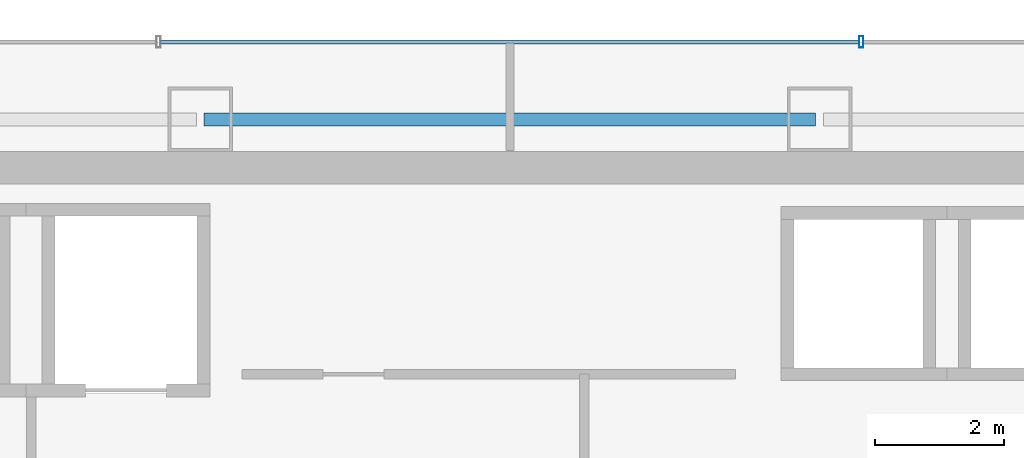
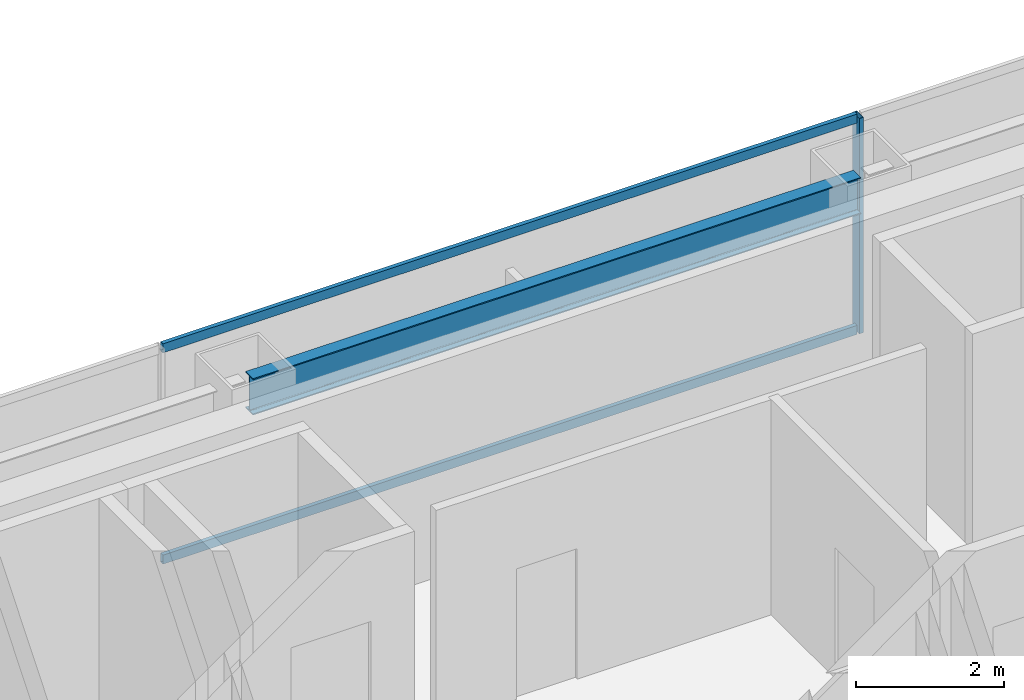
# One storey, part 24 of 35: 3 members, 1 beam, 1 element without a shape of its own.
"""IFC4 building model written with IfcOpenShell, lengths in metres."""

from ifc_helpers import new_model, si_unit, direction, frame, origin, origin_2d, place, context, subcontext, project, spatial, hollow_rectangle, i_section, extrude, material, material_profile, profile_set, type_object, element, aggregate, save


model = new_model("IFC4")

# Units and contexts
model_context = context("Model", 3, precision=1e-05, world=origin(), true_north=direction((0.0, 1.0)))
body_context = subcontext(model_context, "Body", "Model", "MODEL_VIEW")
ifc_project = project(units=[si_unit("LENGTHUNIT", "METRE"), si_unit("AREAUNIT", "SQUARE_METRE"), si_unit("VOLUMEUNIT", "CUBIC_METRE"), si_unit("PLANEANGLEUNIT", "RADIAN"), si_unit("MASSUNIT", "GRAM", prefix="KILO")], contexts=[model_context])

# Site, building, storey
site_placement = place(None, origin())
site = spatial("IfcSite", under=ifc_project, at=site_placement, CompositionType="ELEMENT")
building_placement = place(site_placement, origin())
building = spatial("IfcBuilding", under=site, at=building_placement, Name="Saevonmaru Cultural Tower", CompositionType="ELEMENT")
storey_placement = place(building_placement, frame((0.0, 0.0, 175.199951171875)))
storey = spatial("IfcBuildingStorey", under=building, at=storey_placement, Name="L39", CompositionType="ELEMENT", Elevation=175.199951171875)

# Beam
ifc_material_1 = material(Name="Steel SM355", Category="steel")
ifc_material_profile_1 = material_profile(ifc_material_1, i_section(OverallWidth=0.199951171875, OverallDepth=0.60009765625, WebThickness=0.010986328125, FlangeThickness=0.01708984375, FilletRadius=0.02197265625, at=origin_2d()), Name="H-600x200x11x17")
ifc_profile_set_1 = profile_set([ifc_material_profile_1], Name="Steel SM355")
beam_type = type_object("IfcBeamType", Name="BM-SP-H600", PredefinedType="SPANDREL", material=ifc_profile_set_1)
beam_placement = place(storey_placement, frame((25.260009765625, 54.800048828125, 3.25), z_axis=(1.0, 0.0, 0.0), x_axis=(0.0, 1.0, 0.0)))
element("IfcBeam", 1, at=beam_placement, inside=storey, type_object=beam_type, Name="L39 North Spine Girder 3", PredefinedType="SPANDREL", context=body_context, shape_type="SweptSolid", body=[
    extrude(i_section(OverallWidth=0.199951171875, OverallDepth=0.60009765625, WebThickness=0.010986328125, FlangeThickness=0.01708984375, FilletRadius=0.02197265625, at=origin_2d()), origin(), (0.0, 0.0, 1.0), 9.47998046875),
])

# Curtain wall, members
ifc_material_2 = material(Name="Satin Bronze Anodised Aluminium", Category="aluminium")
curtain_wall_type = type_object("IfcCurtainWallType", Name="CW-TYP-B", PredefinedType="NOTDEFINED", material=ifc_material_2)
curtain_wall_placement = place(storey_placement, origin())
curtain_wall = element("IfcCurtainWall", 2, at=curtain_wall_placement, inside=storey, type_object=curtain_wall_type, Name="L39 North Spine Unitised Curtain Wall E10B", PredefinedType="NOTDEFINED")
ifc_material_profile_2 = material_profile(ifc_material_2, hollow_rectangle(XDim=0.06494140625, YDim=0.179931640625, WallThickness=0.00390625, at=origin_2d()), Name="ALU-MULL-180x65x4")
ifc_profile_set_2 = profile_set([ifc_material_profile_2], Name="Satin Bronze Anodised Aluminium")
member_type_1 = type_object("IfcMemberType", Name="ML-CW-180x65", PredefinedType="MULLION", material=ifc_profile_set_2)
member_1_placement = place(storey_placement, frame((35.44677734375, 56.0, 0.0), z_axis=(0.0, 0.0, 1.0), x_axis=(-1.0, 0.0, 0.0)))
member_1 = element("IfcMember", 3, at=member_1_placement, type_object=member_type_1, Name="CW-TW-L39-E10B mullion 2", PredefinedType="MULLION", context=body_context, shape_type="SweptSolid", body=[
    extrude(hollow_rectangle(XDim=0.06494140625, YDim=0.179931640625, WallThickness=0.00390625, at=origin_2d()), origin(), (0.0, 0.0, 1.0), 3.550048828125),
])
ifc_material_profile_3 = material_profile(ifc_material_2, hollow_rectangle(XDim=0.06494140625, YDim=0.14990234375, WallThickness=0.00390625, at=origin_2d()), Name="ALU-TRAN-150x65x4")
ifc_profile_set_3 = profile_set([ifc_material_profile_3], Name="Satin Bronze Anodised Aluminium")
member_type_2 = type_object("IfcMemberType", Name="TR-CW-150x65", PredefinedType="USERDEFINED", material=ifc_profile_set_3)
member_2_placement = place(storey_placement, frame((35.4140625, 56.0, 0.032470703125), z_axis=(-1.0, 0.0, 0.0), x_axis=(0.0, -1.0, 0.0)))
member_2 = element("IfcMember", 4, at=member_2_placement, type_object=member_type_2, Name="CW-TW-L39-E10B transom 2.1", ObjectType="TRANSOM", PredefinedType="USERDEFINED", context=body_context, shape_type="SweptSolid", body=[
    extrude(hollow_rectangle(XDim=0.06494140625, YDim=0.14990234375, WallThickness=0.00390625, at=origin_2d()), origin(), (0.0, 0.0, 1.0), 10.828125),
])
member_3_placement = place(storey_placement, frame((35.4140625, 56.0, 3.517578125), z_axis=(-1.0, 0.0, 0.0), x_axis=(0.0, -1.0, 0.0)))
member_3 = element("IfcMember", 5, at=member_3_placement, type_object=member_type_2, Name="CW-TW-L39-E10B transom 2.2", ObjectType="TRANSOM", PredefinedType="USERDEFINED", context=body_context, shape_type="SweptSolid", body=[
    extrude(hollow_rectangle(XDim=0.06494140625, YDim=0.14990234375, WallThickness=0.00390625, at=origin_2d()), origin(), (0.0, 0.0, 1.0), 10.828125),
])
aggregate(curtain_wall, [member_1, member_2, member_3])

save(model, "model.ifc")
